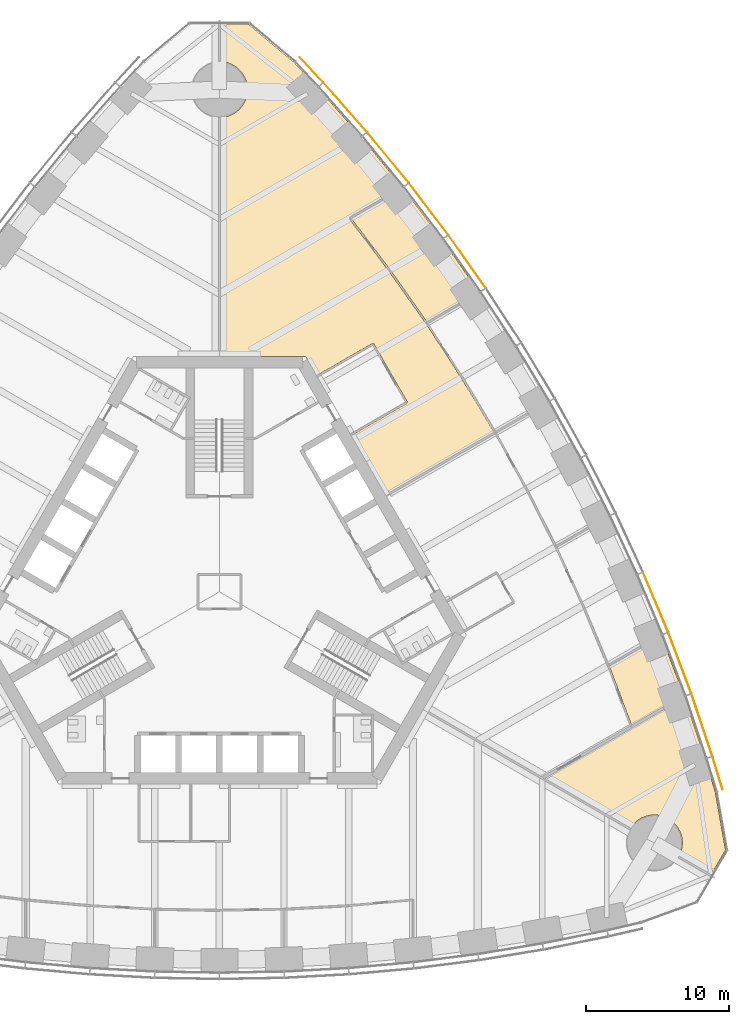
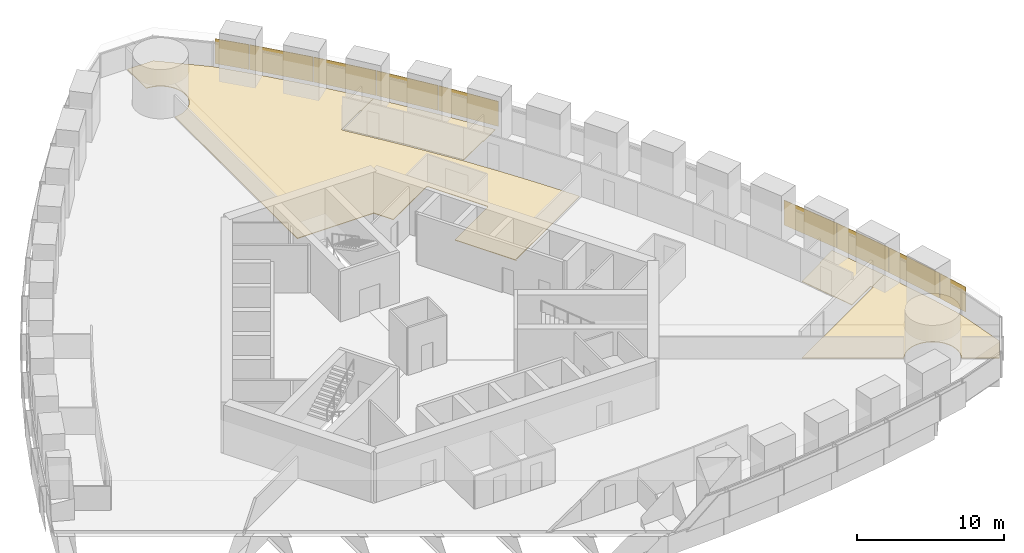
# One storey, part 16 of 18: 9 shading devices, 4 coverings.
"""IFC4 building model written with IfcOpenShell, lengths in metres."""

from ifc_helpers import new_model, si_unit, direction, frame, origin, origin_2d, place, context, subcontext, project, spatial, polyline, rectangle, outline, extrude, material, layer, layer_set, type_object, element, save


model = new_model("IFC4")

# Units and contexts
model_context = context("Model", 3, precision=1e-05, world=origin(), true_north=direction((0.0, 1.0)))
body_context = subcontext(model_context, "Body", "Model", "MODEL_VIEW")
ifc_project = project(units=[si_unit("LENGTHUNIT", "METRE"), si_unit("AREAUNIT", "SQUARE_METRE"), si_unit("VOLUMEUNIT", "CUBIC_METRE"), si_unit("PLANEANGLEUNIT", "RADIAN"), si_unit("MASSUNIT", "GRAM", prefix="KILO")], contexts=[model_context])

# Site, building, storey
site_placement = place(None, origin())
site = spatial("IfcSite", under=ifc_project, at=site_placement, CompositionType="ELEMENT")
building_placement = place(site_placement, origin())
building = spatial("IfcBuilding", under=site, at=building_placement, Name="Trefoil Bronze Tower", CompositionType="ELEMENT")
storey_placement = place(building_placement, frame((0.0, 0.0, 174.5)))
storey = spatial("IfcBuildingStorey", under=building, at=storey_placement, Name="L40", CompositionType="ELEMENT", Elevation=174.5)

# Shading devices
ifc_material_1 = material(Name="Perforated bronze sheet", Category="bronze")
ifc_layer_1 = layer(ifc_material_1, 0.0400390625)
ifc_layer_set_1 = layer_set([ifc_layer_1], Name="Bronze solar screen panel")
shading_device_type = type_object("IfcShadingDeviceType", Name="Bronze solar screen panel", PredefinedType="SHUTTER", material=ifc_layer_set_1)
shading_device_1_placement = place(storey_placement, frame((34.717529296875, -12.634765625, 0.0498046875), z_axis=(0.0, 0.0, 1.0), x_axis=(-0.291668676391, 0.956519410787, 0.0)))
element("IfcShadingDevice", 1, at=shading_device_1_placement, inside=storey, type_object=shading_device_type, Name="Solar screen CW-A L40 F2 bay 1", PredefinedType="SHUTTER", context=body_context, shape_type="SweptSolid", body=[
    extrude(rectangle(XDim=2.39013671875, YDim=0.0400390625, at=origin_2d()), origin(), (0.0, 0.0, 1.0), 2.070068359375),
])
shading_device_2_placement = place(storey_placement, frame((33.62890625, -9.286865234375, 0.0498046875), z_axis=(0.0, 0.0, 1.0), x_axis=(-0.318403749569, 0.947955195281, 0.0)))
element("IfcShadingDevice", 2, at=shading_device_2_placement, inside=storey, type_object=shading_device_type, Name="Solar screen CW-A L40 F2 bay 2", PredefinedType="SHUTTER", context=body_context, shape_type="SweptSolid", body=[
    extrude(rectangle(XDim=4.56103515625, YDim=0.0400390625, at=origin_2d()), origin(), (0.0, 0.0, 1.0), 2.070068359375),
])
shading_device_3_placement = place(storey_placement, frame((32.086669921875, -4.95849609375, 0.0498046875), z_axis=(0.0, 0.0, 1.0), x_axis=(-0.352919739707, 0.935653599002, 0.0)))
element("IfcShadingDevice", 3, at=shading_device_3_placement, inside=storey, type_object=shading_device_type, Name="Solar screen CW-A L40 F2 bay 3", PredefinedType="SHUTTER", context=body_context, shape_type="SweptSolid", body=[
    extrude(rectangle(XDim=4.5302734375, YDim=0.0400390625, at=origin_2d()), origin(), (0.0, 0.0, 1.0), 2.070068359375),
])
shading_device_4_placement = place(storey_placement, frame((30.3974609375, -0.715087890625, 0.0498046875), z_axis=(0.0, 0.0, 1.0), x_axis=(-0.386759234303, 0.922180727776, 0.0)))
element("IfcShadingDevice", 4, at=shading_device_4_placement, inside=storey, type_object=shading_device_type, Name="Solar screen CW-A L40 F2 bay 4", PredefinedType="SHUTTER", context=body_context, shape_type="SweptSolid", body=[
    extrude(rectangle(XDim=4.50634765625, YDim=0.0400390625, at=origin_2d()), origin(), (0.0, 0.0, 1.0), 2.070068359375),
])
shading_device_5_placement = place(storey_placement, frame((17.264892578125, 23.014404296875, 0.0498046875), z_axis=(0.0, 0.0, 1.0), x_axis=(-0.575999283275, 0.817450197667, 0.0)))
element("IfcShadingDevice", 5, at=shading_device_5_placement, inside=storey, type_object=shading_device_type, Name="Solar screen CW-A L40 F2 bay 10", PredefinedType="SHUTTER", context=body_context, shape_type="SweptSolid", body=[
    extrude(rectangle(XDim=4.48828125, YDim=0.0400390625, at=origin_2d()), origin(), (0.0, 0.0, 1.0), 2.070068359375),
])
shading_device_6_placement = place(storey_placement, frame((14.579345703125, 26.6826171875, 0.0498046875), z_axis=(0.0, 0.0, 1.0), x_axis=(-0.605252319983, 0.796033685943, 0.0)))
element("IfcShadingDevice", 6, at=shading_device_6_placement, inside=storey, type_object=shading_device_type, Name="Solar screen CW-A L40 F2 bay 11", PredefinedType="SHUTTER", context=body_context, shape_type="SweptSolid", body=[
    extrude(rectangle(XDim=4.50634765625, YDim=0.0400390625, at=origin_2d()), origin(), (0.0, 0.0, 1.0), 2.070068359375),
])
shading_device_7_placement = place(storey_placement, frame((11.7490234375, 30.26708984375, 0.0498046875), z_axis=(0.0, 0.0, 1.0), x_axis=(-0.633839916024, 0.773464259584, 0.0)))
element("IfcShadingDevice", 7, at=shading_device_7_placement, inside=storey, type_object=shading_device_type, Name="Solar screen CW-A L40 F2 bay 12", PredefinedType="SHUTTER", context=body_context, shape_type="SweptSolid", body=[
    extrude(rectangle(XDim=4.5302734375, YDim=0.0400390625, at=origin_2d()), origin(), (0.0, 0.0, 1.0), 2.070068359375),
])
shading_device_8_placement = place(storey_placement, frame((8.77197265625, 33.766845703125, 0.0498046875), z_axis=(0.0, 0.0, 1.0), x_axis=(-0.661751405978, 0.749723333428, 0.0)))
element("IfcShadingDevice", 8, at=shading_device_8_placement, inside=storey, type_object=shading_device_type, Name="Solar screen CW-A L40 F2 bay 13", PredefinedType="SHUTTER", context=body_context, shape_type="SweptSolid", body=[
    extrude(rectangle(XDim=4.56103515625, YDim=0.0400390625, at=origin_2d()), origin(), (0.0, 0.0, 1.0), 2.070068359375),
])
shading_device_9_placement = place(storey_placement, frame((6.416748046875, 36.383544921875, 0.0498046875), z_axis=(0.0, 0.0, 1.0), x_axis=(-0.682535770759, 0.730852188636, 0.0)))
element("IfcShadingDevice", 9, at=shading_device_9_placement, inside=storey, type_object=shading_device_type, Name="Solar screen CW-A L40 F2 bay 14", PredefinedType="SHUTTER", context=body_context, shape_type="SweptSolid", body=[
    extrude(rectangle(XDim=2.39013671875, YDim=0.0400390625, at=origin_2d()), origin(), (0.0, 0.0, 1.0), 2.070068359375),
])

# Coverings
ifc_material_2 = material(Name="Raised access floor panels", Category="steel")
ifc_layer_2 = layer(ifc_material_2, 0.050048828125)
ifc_layer_set_2 = layer_set([ifc_layer_2], Name="Raised access floor 150")
covering_type = type_object("IfcCoveringType", Name="Raised access floor 150", PredefinedType="FLOORING", material=ifc_layer_set_2)
covering_1_placement = place(storey_placement, frame((0.0, 0.0, 0.10009765625)))
element("IfcCovering", 10, at=covering_1_placement, inside=storey, type_object=covering_type, Name="Raised floor L40 Boardroom F2", PredefinedType="FLOORING", context=body_context, shape_type="SweptSolid", body=[
    extrude(outline(polyline([(22.60986328125, -13.04248046875), (31.001220703125, -8.19775390625), (30.951171875, -8.111083984375), (32.385986328125, -7.28271484375), (33.847900390625, -11.634765625), (34.5537109375, -13.94970703125), (35.2666015625, -17.99169921875), (34.247802734375, -19.755859375), (32.006103515625, -18.462646484375), (32.030517578125, -18.419189453125), (32.07373046875, -18.333740234375), (32.112548828125, -18.24609375), (32.14697265625, -18.156982421875), (32.177001953125, -18.066162109375), (32.202392578125, -17.973876953125), (32.223388671875, -17.88037109375), (32.23974609375, -17.7861328125), (32.25146484375, -17.691162109375), (32.258544921875, -17.595703125), (32.260986328125, -17.5), (32.258544921875, -17.404296875), (32.25146484375, -17.308837890625), (32.23974609375, -17.2138671875), (32.223388671875, -17.11962890625), (32.202392578125, -17.026123046875), (32.177001953125, -16.933837890625), (32.14697265625, -16.843017578125), (32.112548828125, -16.75390625), (32.07373046875, -16.666259765625), (32.030517578125, -16.580810546875), (31.9833984375, -16.49755859375), (31.932373046875, -16.41650390625), (31.877197265625, -16.33837890625), (31.818359375, -16.262939453125), (31.755615234375, -16.1904296875), (31.689697265625, -16.12109375), (31.620361328125, -16.05517578125), (31.548095703125, -15.99267578125), (31.472412109375, -15.93359375), (31.394287109375, -15.878662109375), (31.3134765625, -15.827392578125), (31.22998046875, -15.7802734375), (31.14453125, -15.7373046875), (31.05712890625, -15.698486328125), (30.9677734375, -15.6640625), (30.876953125, -15.634033203125), (30.78466796875, -15.6083984375), (30.69140625, -15.58740234375), (30.596923828125, -15.571044921875), (30.501953125, -15.559326171875), (30.406494140625, -15.55224609375), (30.310791015625, -15.550048828125), (30.215087890625, -15.55224609375), (30.119873046875, -15.559326171875), (30.02490234375, -15.571044921875), (29.930419921875, -15.58740234375), (29.837158203125, -15.6083984375), (29.744873046875, -15.634033203125), (29.654052734375, -15.6640625), (29.564697265625, -15.698486328125), (29.477294921875, -15.7373046875), (29.3916015625, -15.7802734375), (29.308349609375, -15.827392578125), (29.2275390625, -15.878662109375), (29.1494140625, -15.93359375), (29.07373046875, -15.99267578125), (29.001220703125, -16.05517578125), (28.931884765625, -16.12109375), (28.865966796875, -16.1904296875), (28.803466796875, -16.262939453125), (28.74462890625, -16.33837890625), (28.689453125, -16.41650390625), (28.628662109375, -16.514404296875), (22.60986328125, -13.04248046875)])), origin(), (0.0, 0.0, 1.0), 0.0498046875),
])
covering_2_placement = place(storey_placement, frame((0.0, 0.0, 0.10009765625)))
element("IfcCovering", 11, at=covering_2_placement, inside=storey, type_object=covering_type, Name="Raised floor L40 Executive office F2", PredefinedType="FLOORING", context=body_context, shape_type="SweptSolid", body=[
    extrude(outline(polyline([(18.124755859375, 20.856689453125), (16.709716796875, 20.03955078125), (16.6796875, 20.091552734375), (14.461669921875, 18.81103515625), (11.890625, 22.459716796875), (11.841796875, 22.42529296875), (11.889404296875, 22.461669921875), (9.18505859375, 26.018310546875), (11.38037109375, 27.28564453125), (11.350341796875, 27.337646484375), (12.776611328125, 28.1611328125), (15.522216796875, 24.55029296875), (18.124755859375, 20.856689453125)])), origin(), (0.0, 0.0, 1.0), 0.0498046875),
])
covering_3_placement = place(storey_placement, frame((0.0, 0.0, 0.10009765625)))
element("IfcCovering", 12, at=covering_3_placement, inside=storey, type_object=covering_type, Name="Raised floor L40 Meeting room F2", PredefinedType="FLOORING", context=body_context, shape_type="SweptSolid", body=[
    extrude(outline(polyline([(30.776611328125, -3.015625), (32.385986328125, -7.28271484375), (30.951171875, -8.111083984375), (30.901123046875, -8.0244140625), (28.722412109375, -9.282470703125), (27.170166015625, -5.167236328125), (29.38037109375, -3.89111328125), (29.350341796875, -3.839111328125), (30.776611328125, -3.015625)])), origin(), (0.0, 0.0, 1.0), 0.0498046875),
])
covering_4_placement = place(storey_placement, frame((0.0, 0.0, 0.10009765625)))
element("IfcCovering", 13, at=covering_4_placement, inside=storey, type_object=covering_type, Name="Raised floor L40 PA area F2", PredefinedType="FLOORING", context=body_context, shape_type="SweptSolid", body=[
    extrude(outline(polyline([(2.052001953125, 39.53759765625), (5.1962890625, 36.8994140625), (6.847900390625, 35.130615234375), (9.885986328125, 31.6884765625), (12.776611328125, 28.1611328125), (11.350341796875, 27.337646484375), (11.3203125, 27.3896484375), (9.066162109375, 26.088134765625), (9.09619140625, 26.0361328125), (9.04833984375, 26.0), (11.055419921875, 23.3603515625), (12.492919921875, 21.39697265625), (14.39453125, 18.697998046875), (16.2119140625, 15.91015625), (17.460205078125, 13.917724609375), (19.134765625, 11.134033203125), (11.575927734375, 6.77001953125), (11.61279296875, 6.705810546875), (11.604248046875, 6.700927734375), (9.184814453125, 10.8916015625), (13.081787109375, 13.1416015625), (13.052001953125, 13.193603515625), (13.103759765625, 13.223388671875), (10.75390625, 17.293701171875), (10.701904296875, 17.263916015625), (10.671875, 17.31591796875), (6.774658203125, 15.06591796875), (6.00439453125, 16.39990234375), (0.006103515625, 16.39990234375), (0.012451171875, 33.05029296875), (0.095703125, 33.05224609375), (0.191162109375, 33.059326171875), (0.2861328125, 33.071044921875), (0.38037109375, 33.08740234375), (0.473876953125, 33.1083984375), (0.566162109375, 33.134033203125), (0.656982421875, 33.1640625), (0.74609375, 33.198486328125), (0.833740234375, 33.2373046875), (0.919189453125, 33.2802734375), (1.00244140625, 33.327392578125), (1.08349609375, 33.378662109375), (1.16162109375, 33.43359375), (1.237060546875, 33.49267578125), (1.3095703125, 33.55517578125), (1.37890625, 33.62109375), (1.44482421875, 33.6904296875), (1.50732421875, 33.762939453125), (1.56640625, 33.83837890625), (1.621337890625, 33.91650390625), (1.672607421875, 33.99755859375), (1.7197265625, 34.080810546875), (1.7626953125, 34.166259765625), (1.801513671875, 34.25390625), (1.8359375, 34.343017578125), (1.865966796875, 34.433837890625), (1.8916015625, 34.526123046875), (1.91259765625, 34.61962890625), (1.928955078125, 34.7138671875), (1.940673828125, 34.808837890625), (1.94775390625, 34.904296875), (1.949951171875, 35.0), (1.94775390625, 35.095703125), (1.940673828125, 35.191162109375), (1.928955078125, 35.2861328125), (1.91259765625, 35.38037109375), (1.8916015625, 35.473876953125), (1.865966796875, 35.566162109375), (1.8359375, 35.656982421875), (1.801513671875, 35.74609375), (1.7626953125, 35.833740234375), (1.7197265625, 35.919189453125), (1.672607421875, 36.00244140625), (1.621337890625, 36.08349609375), (1.56640625, 36.16162109375), (1.50732421875, 36.237060546875), (1.44482421875, 36.3095703125), (1.37890625, 36.37890625), (1.3095703125, 36.44482421875), (1.237060546875, 36.50732421875), (1.16162109375, 36.56640625), (1.08349609375, 36.621337890625), (1.00244140625, 36.672607421875), (0.919189453125, 36.7197265625), (0.833740234375, 36.7626953125), (0.74609375, 36.801513671875), (0.656982421875, 36.8359375), (0.566162109375, 36.865966796875), (0.473876953125, 36.8916015625), (0.38037109375, 36.91259765625), (0.2861328125, 36.928955078125), (0.191162109375, 36.940673828125), (0.095703125, 36.94775390625), (0.013916015625, 36.94970703125), (0.014892578125, 39.53759765625), (2.052001953125, 39.53759765625)])), origin(), (0.0, 0.0, 1.0), 0.0498046875),
])

save(model, "model.ifc")
